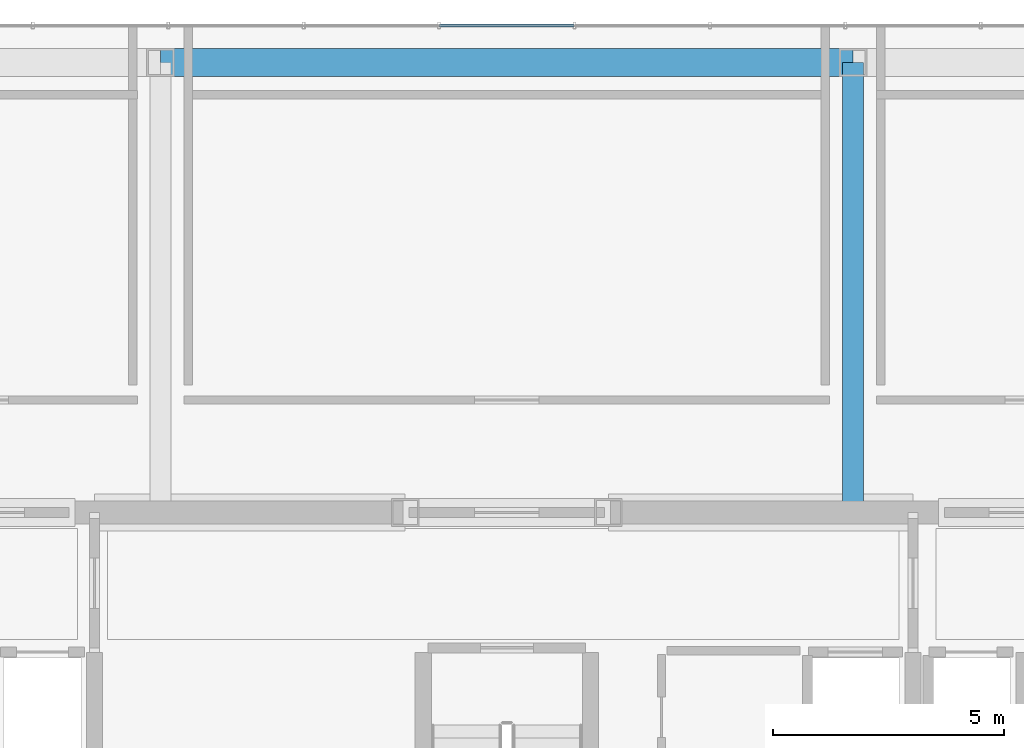
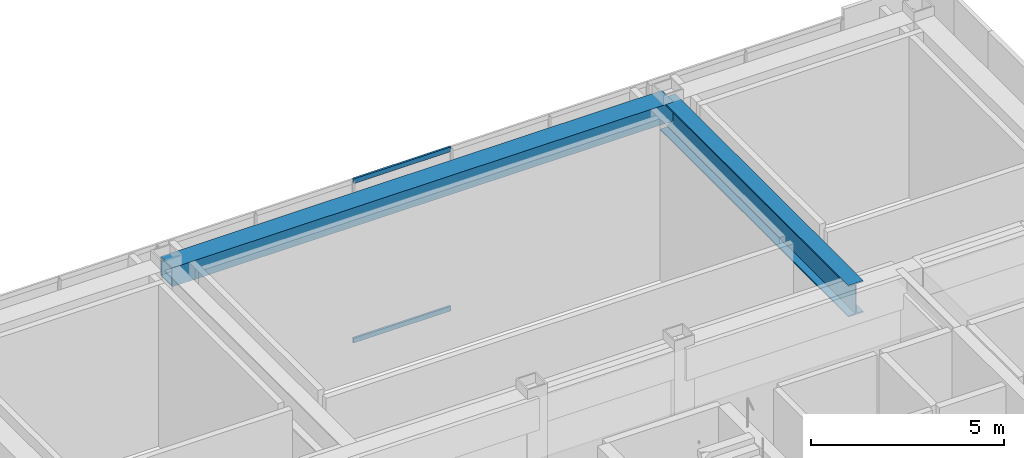
# One storey, part 4 of 9: 2 beams, 2 members, 1 element without a shape of its own.
"""IFC4 building model written with IfcOpenShell, lengths in metres."""

from ifc_helpers import new_model, si_unit, direction, frame, origin, origin_2d, place, context, subcontext, project, spatial, hollow_rectangle, i_section, extrude, material, material_profile, profile_set, type_object, element, aggregate, save


model = new_model("IFC4")

# Units and contexts
model_context = context("Model", 3, precision=1e-05, world=origin(), true_north=direction((0.0, 1.0)))
body_context = subcontext(model_context, "Body", "Model", "MODEL_VIEW")
ifc_project = project(units=[si_unit("LENGTHUNIT", "METRE"), si_unit("AREAUNIT", "SQUARE_METRE"), si_unit("VOLUMEUNIT", "CUBIC_METRE"), si_unit("PLANEANGLEUNIT", "RADIAN"), si_unit("MASSUNIT", "GRAM", prefix="KILO")], contexts=[model_context])

# Site, building, storey
site_placement = place(None, origin())
site = spatial("IfcSite", under=ifc_project, at=site_placement, CompositionType="ELEMENT")
building_placement = place(site_placement, origin())
building = spatial("IfcBuilding", under=site, at=building_placement, Name="Ventersveld Concourse Tower", CompositionType="ELEMENT")
storey_placement = place(building_placement, frame((0.0, 0.0, 372.050048828125)))
storey = spatial("IfcBuildingStorey", under=building, at=storey_placement, Name="L91", CompositionType="ELEMENT", Elevation=372.050048828125)

# Curtain wall, members
ifc_material_1 = material(Name="Anodised aluminium EN AW-6063-T6", Category="aluminium")
curtain_wall_type = type_object("IfcCurtainWallType", Name="CW-CRN-6", PredefinedType="NOTDEFINED", material=ifc_material_1)
curtain_wall_placement = place(storey_placement, origin())
curtain_wall = element("IfcCurtainWall", 1, at=curtain_wall_placement, inside=storey, type_object=curtain_wall_type, Name="L91 L91 Crown North Glazed Curtain Wall", PredefinedType="NOTDEFINED")
ifc_material_profile_1 = material_profile(ifc_material_1, hollow_rectangle(XDim=0.06005859375, YDim=0.14990234375, WallThickness=0.00390625, at=origin_2d()), Name="ALU 150x60x4")
ifc_profile_set_1 = profile_set([ifc_material_profile_1], Name="Anodised aluminium EN AW-6063-T6")
member_type = type_object("IfcMemberType", Name="CWT-150x60", PredefinedType="USERDEFINED", material=ifc_profile_set_1)
member_1_placement = place(storey_placement, frame((30.206787109375, 22.0, 0.030029296875), z_axis=(-1.0, 0.0, 0.0), x_axis=(0.0, -1.0, 0.0)))
member_1 = element("IfcMember", 2, at=member_1_placement, type_object=member_type, Name="CW-L91-N Transom 1-05", ObjectType="TRANSOM", PredefinedType="USERDEFINED", context=body_context, shape_type="SweptSolid", body=[
    extrude(hollow_rectangle(XDim=0.06005859375, YDim=0.14990234375, WallThickness=0.00390625, at=origin_2d()), origin(), (0.0, 0.0, 1.0), 2.91357421875),
])
member_2_placement = place(storey_placement, frame((30.206787109375, 22.0, 5.070068359375), z_axis=(-1.0, 0.0, 0.0), x_axis=(0.0, -1.0, 0.0)))
member_2 = element("IfcMember", 3, at=member_2_placement, type_object=member_type, Name="CW-L91-N Transom 2-05", ObjectType="TRANSOM", PredefinedType="USERDEFINED", context=body_context, shape_type="SweptSolid", body=[
    extrude(hollow_rectangle(XDim=0.06005859375, YDim=0.14990234375, WallThickness=0.00390625, at=origin_2d()), origin(), (0.0, 0.0, 1.0), 2.91357421875),
])
aggregate(curtain_wall, [member_1, member_2])

# Beams
ifc_material_2 = material(Name="Structural steel S355ML", Category="steel")
ifc_material_profile_2 = material_profile(ifc_material_2, hollow_rectangle(XDim=0.60009765625, YDim=0.60009765625, WallThickness=0.0400390625, at=origin_2d()), Name="BOX 600x600x40")
ifc_profile_set_2 = profile_set([ifc_material_profile_2], Name="Structural steel S355ML")
beam_type_1 = type_object("IfcBeamType", Name="SPD-BOX600", PredefinedType="SPANDREL", material=ifc_profile_set_2)
beam_1_placement = place(storey_placement, frame((36.25, 21.199951171875, 4.800048828125), z_axis=(-1.0, 0.0, 0.0), x_axis=(0.0, -1.0, 0.0)))
element("IfcBeam", 4, at=beam_1_placement, inside=storey, type_object=beam_type_1, Name="L91 CROWN FRAME Perimeter Ring Beam 5", PredefinedType="SPANDREL", context=body_context, shape_type="SweptSolid", body=[
    extrude(hollow_rectangle(XDim=0.60009765625, YDim=0.60009765625, WallThickness=0.0400390625, at=origin_2d()), origin(), (0.0, 0.0, 1.0), 15.0),
])
ifc_material_3 = material(Name="Structural steel S460ML", Category="steel")
ifc_material_profile_3 = material_profile(ifc_material_3, i_section(OverallWidth=0.449951171875, OverallDepth=1.0, WebThickness=0.02392578125, FlangeThickness=0.0400390625, at=origin_2d()), Name="PG 1000x450x40")
ifc_profile_set_3 = profile_set([ifc_material_profile_3], Name="Structural steel S460ML")
beam_type_2 = type_object("IfcBeamType", Name="TG-PG1000", PredefinedType="USERDEFINED", material=ifc_profile_set_3)
beam_2_placement = place(storey_placement, frame((36.25, 11.449951171875, 4.599853515625), z_axis=(0.0, 1.0, 0.0), x_axis=(-1.0, 0.0, 0.0)))
element("IfcBeam", 5, at=beam_2_placement, inside=storey, type_object=beam_type_2, Name="L91 Crown Interior Girder E", ObjectType="TRANSFER_GIRDER", PredefinedType="USERDEFINED", context=body_context, shape_type="SweptSolid", body=[
    extrude(i_section(OverallWidth=0.449951171875, OverallDepth=1.0, WebThickness=0.02392578125, FlangeThickness=0.0400390625, at=origin_2d()), origin(), (0.0, 0.0, 1.0), 9.75),
])

save(model, "model.ifc")
